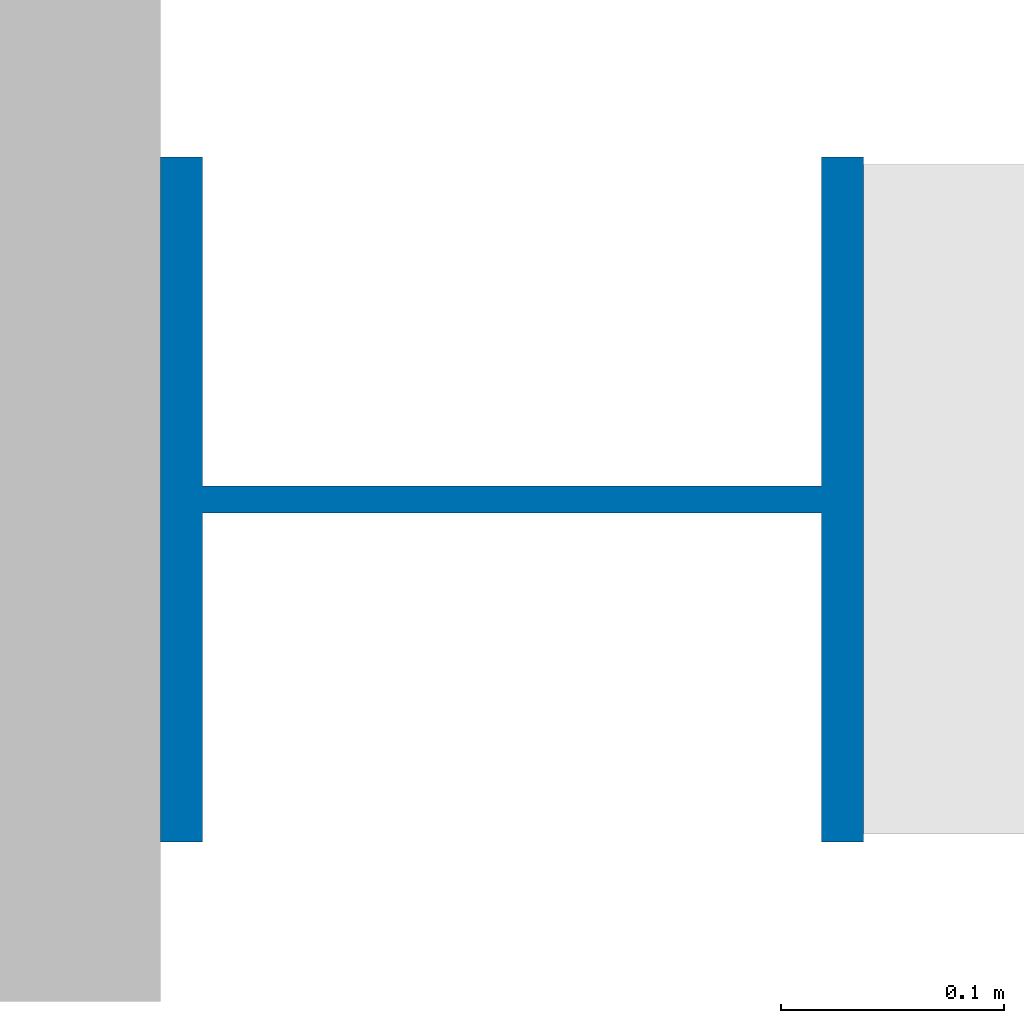
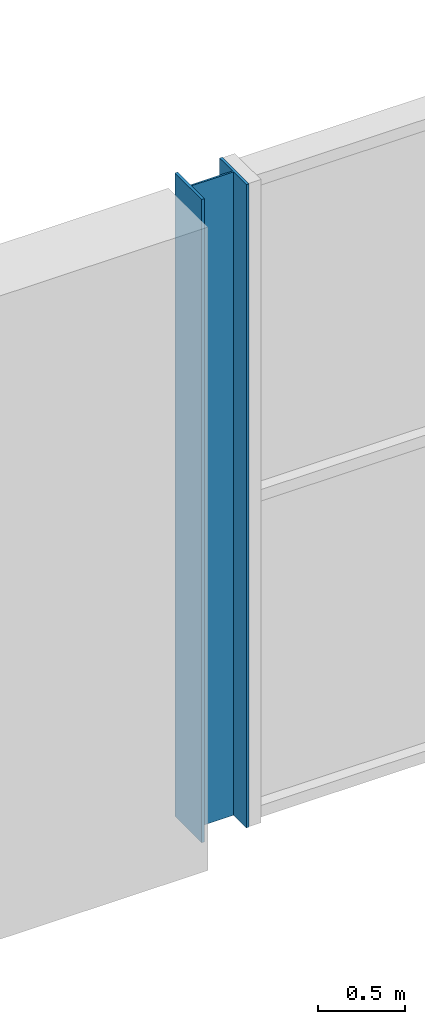
# One storey, part 9 of 97: 1 column.
"""IFC4 building model written with IfcOpenShell, lengths in metres."""

from ifc_helpers import new_model, si_unit, direction, frame, origin, origin_2d, place, context, subcontext, project, spatial, i_section, extrude, material, material_profile, profile_set, type_object, element, save


model = new_model("IFC4")

# Units and contexts
model_context = context("Model", 3, precision=1e-05, world=origin(), true_north=direction((0.0, 1.0)))
body_context = subcontext(model_context, "Body", "Model", "MODEL_VIEW")
ifc_project = project(units=[si_unit("LENGTHUNIT", "METRE"), si_unit("AREAUNIT", "SQUARE_METRE"), si_unit("VOLUMEUNIT", "CUBIC_METRE"), si_unit("PLANEANGLEUNIT", "RADIAN"), si_unit("MASSUNIT", "GRAM", prefix="KILO")], contexts=[model_context])

# Site, building, storey
site_placement = place(None, origin())
site = spatial("IfcSite", under=ifc_project, at=site_placement, CompositionType="ELEMENT")
building_placement = place(site_placement, origin())
building = spatial("IfcBuilding", under=site, at=building_placement, Name="Corbel Yard City Hall", CompositionType="ELEMENT")
storey_placement = place(building_placement, frame((0.0, 0.0, 6.0)))
storey = spatial("IfcBuildingStorey", under=building, at=storey_placement, Name="L01", CompositionType="ELEMENT", Elevation=6.0)

# Column
ifc_material = material(Name="Steel Grade 300 (300 MPa yield)", Category="steel")
ifc_material_profile = material_profile(ifc_material, i_section(OverallWidth=0.306884765625, OverallDepth=0.31494140625, WebThickness=0.011962890625, FlangeThickness=0.018798828125, at=origin_2d()), Name="310UC118")
ifc_profile_set = profile_set([ifc_material_profile], Name="Steel Grade 300 (300 MPa yield)")
column_type = type_object("IfcColumnType", Name="Column 310UC118", PredefinedType="COLUMN", material=ifc_profile_set)
column_placement = place(storey_placement, frame((126.0, 27.0, 0.0), z_axis=(0.0, 0.0, 1.0), x_axis=(0.0, 1.0, 0.0)))
element("IfcColumn", 1, at=column_placement, inside=storey, type_object=column_type, Name="Column 310UC118 D/15 L01", PredefinedType="COLUMN", context=body_context, shape_type="SweptSolid", body=[
    extrude(i_section(OverallWidth=0.306884765625, OverallDepth=0.31494140625, WebThickness=0.011962890625, FlangeThickness=0.018798828125, at=origin_2d()), origin(), (0.0, 0.0, 1.0), 4.5),
])

save(model, "model.ifc")
